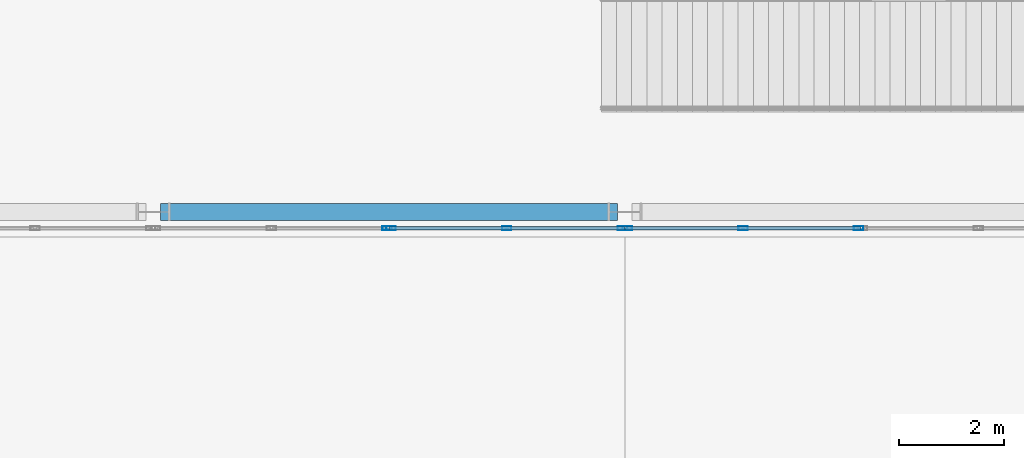
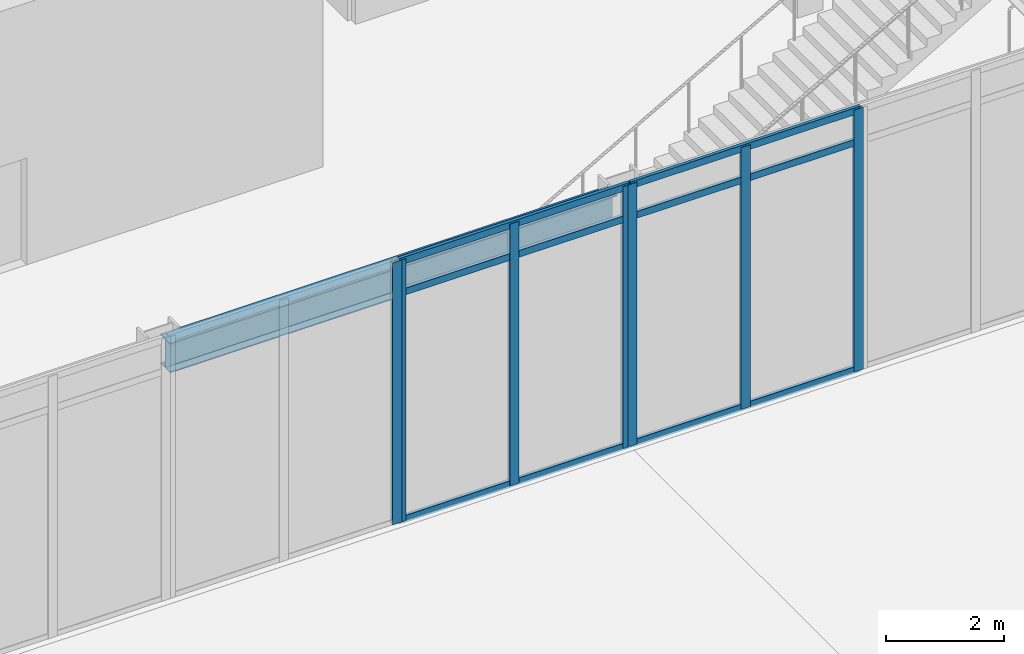
# One storey, part 49 of 94: 13 members, 1 beam, 3 elements without a shape of their own.
"""IFC4 building model written with IfcOpenShell, lengths in metres."""

from ifc_helpers import new_model, si_unit, direction, frame, origin, origin_2d, place, context, subcontext, project, spatial, hollow_rectangle, i_section, extrude, material, layer, layer_set, material_profile, profile_set, type_object, element, aggregate, save


model = new_model("IFC4")

# Units and contexts
model_context = context("Model", 3, precision=1e-05, world=origin(), true_north=direction((0.0, 1.0)))
body_context = subcontext(model_context, "Body", "Model", "MODEL_VIEW")
ifc_project = project(units=[si_unit("LENGTHUNIT", "METRE"), si_unit("AREAUNIT", "SQUARE_METRE"), si_unit("VOLUMEUNIT", "CUBIC_METRE"), si_unit("PLANEANGLEUNIT", "RADIAN"), si_unit("MASSUNIT", "GRAM", prefix="KILO")], contexts=[model_context])

# Site, building, storey
site_placement = place(None, origin())
site = spatial("IfcSite", under=ifc_project, at=site_placement, CompositionType="ELEMENT")
building_placement = place(site_placement, origin())
building = spatial("IfcBuilding", under=site, at=building_placement, Name="Sollismere Congress Hotel", CompositionType="ELEMENT")
storey_placement = place(building_placement, origin())
storey = spatial("IfcBuildingStorey", under=building, at=storey_placement, Name="L00", CompositionType="ELEMENT", Elevation=0.0)

# Beam
ifc_material_1 = material(Name="Steel ASTM A992 Grade 50", Category="steel")
ifc_material_profile_1 = material_profile(ifc_material_1, i_section(OverallWidth=0.324951171875, OverallDepth=0.612060546875, WebThickness=0.0126953125, FlangeThickness=0.01904296875, at=origin_2d()), Name="W24X104")
ifc_profile_set_1 = profile_set([ifc_material_profile_1], Name="Steel ASTM A992 Grade 50")
beam_type = type_object("IfcBeamType", Name="BM-G24", PredefinedType="BEAM", material=ifc_profile_set_1)
beam_placement = place(storey_placement, frame((76.139892578125, 66.800048828125, 4.80908203125), z_axis=(1.0, 0.0, 0.0), x_axis=(0.0, 1.0, 0.0)))
element("IfcBeam", 1, at=beam_placement, inside=storey, type_object=beam_type, Name="Beam BM-L00-1191", PredefinedType="BEAM", context=body_context, shape_type="SweptSolid", body=[
    extrude(i_section(OverallWidth=0.324951171875, OverallDepth=0.612060546875, WebThickness=0.0126953125, FlangeThickness=0.01904296875, at=origin_2d()), origin(), (0.0, 0.0, 1.0), 8.72021484375),
])

# Curtain wall, member
ifc_material_2 = material(Name="Anodized Bronze Curtain Wall & Low-E Triple Glazing", Category="glass")
ifc_layer = layer(ifc_material_2, 0.199951171875, Name="Anodized Bronze Curtain Wall & Low-E Triple Glazing")
ifc_layer_set = layer_set([ifc_layer], Name="Anodized Bronze Curtain Wall & Low-E Triple Glazing")
curtain_wall_type = type_object("IfcCurtainWallType", Name="CW-GLZ36", PredefinedType="USERDEFINED", material=ifc_layer_set)
curtain_wall_1_placement = place(storey_placement, origin())
curtain_wall_1 = element("IfcCurtainWall", 2, at=curtain_wall_1_placement, inside=storey, type_object=curtain_wall_type, Name="Unitised curtain wall CW-L00-075", ObjectType="UNITISED CURTAIN WALL", PredefinedType="USERDEFINED")
ifc_material_3 = material(Name="Anodized Aluminum 6063-T6", Category="aluminium")
ifc_material_profile_2 = material_profile(ifc_material_3, hollow_rectangle(XDim=0.074951171875, YDim=0.179931640625, WallThickness=0.0048828125, at=origin_2d()), Name="ALU180X75X5")
ifc_profile_set_2 = profile_set([ifc_material_profile_2], Name="Anodized Aluminum 6063-T6")
member_type_1 = type_object("IfcMemberType", Name="ML-CW180", PredefinedType="MULLION", material=ifc_profile_set_2)
member_1_placement = place(storey_placement, frame((80.4619140625, 66.489990234375, 0.0), z_axis=(0.0, 0.0, 1.0), x_axis=(0.0, 1.0, 0.0)))
member_1 = element("IfcMember", 3, at=member_1_placement, type_object=member_type_1, Name="CWL-CW-L00-075-ML03", PredefinedType="MULLION", context=body_context, shape_type="SweptSolid", body=[
    extrude(hollow_rectangle(XDim=0.074951171875, YDim=0.179931640625, WallThickness=0.0048828125, at=origin_2d()), origin(), (0.0, 0.0, 1.0), 5.39990234375),
])
aggregate(curtain_wall_1, [member_1])

# Curtain wall, members
curtain_wall_2_placement = place(storey_placement, origin())
curtain_wall_2 = element("IfcCurtainWall", 4, at=curtain_wall_2_placement, inside=storey, type_object=curtain_wall_type, Name="Unitised curtain wall CW-L00-076", ObjectType="UNITISED CURTAIN WALL", PredefinedType="USERDEFINED")
member_2_placement = place(storey_placement, frame((80.5380859375, 66.489990234375, 0.0), z_axis=(0.0, 0.0, 1.0), x_axis=(0.0, 1.0, 0.0)))
member_2 = element("IfcMember", 5, at=member_2_placement, type_object=member_type_1, Name="CWL-CW-L00-076-ML01", PredefinedType="MULLION", context=body_context, shape_type="SweptSolid", body=[
    extrude(hollow_rectangle(XDim=0.074951171875, YDim=0.179931640625, WallThickness=0.0048828125, at=origin_2d()), origin(), (0.0, 0.0, 1.0), 5.39990234375),
])
member_3_placement = place(storey_placement, frame((82.7451171875, 66.489990234375, 0.0), z_axis=(0.0, 0.0, 1.0), x_axis=(0.0, 1.0, 0.0)))
member_3 = element("IfcMember", 6, at=member_3_placement, type_object=member_type_1, Name="CWL-CW-L00-076-ML02", PredefinedType="MULLION", context=body_context, shape_type="SweptSolid", body=[
    extrude(hollow_rectangle(XDim=0.074951171875, YDim=0.179931640625, WallThickness=0.0048828125, at=origin_2d()), origin(), (0.0, 0.0, 1.0), 5.39990234375),
])
member_4_placement = place(storey_placement, frame((84.951904296875, 66.489990234375, 0.0), z_axis=(0.0, 0.0, 1.0), x_axis=(0.0, 1.0, 0.0)))
member_4 = element("IfcMember", 7, at=member_4_placement, type_object=member_type_1, Name="CWL-CW-L00-076-ML03", PredefinedType="MULLION", context=body_context, shape_type="SweptSolid", body=[
    extrude(hollow_rectangle(XDim=0.074951171875, YDim=0.179931640625, WallThickness=0.0048828125, at=origin_2d()), origin(), (0.0, 0.0, 1.0), 5.39990234375),
])

curtain_wall_3_placement = place(storey_placement, origin())
curtain_wall_3 = element("IfcCurtainWall", 8, at=curtain_wall_3_placement, inside=storey, type_object=curtain_wall_type, Name="Unitised curtain wall CW-L00-077", ObjectType="UNITISED CURTAIN WALL", PredefinedType="USERDEFINED")
member_5_placement = place(storey_placement, frame((85.048095703125, 66.489990234375, 0.0), z_axis=(0.0, 0.0, 1.0), x_axis=(0.0, 1.0, 0.0)))
member_5 = element("IfcMember", 9, at=member_5_placement, type_object=member_type_1, Name="CWL-CW-L00-077-ML01", PredefinedType="MULLION", context=body_context, shape_type="SweptSolid", body=[
    extrude(hollow_rectangle(XDim=0.074951171875, YDim=0.179931640625, WallThickness=0.0048828125, at=origin_2d()), origin(), (0.0, 0.0, 1.0), 5.39990234375),
])
member_6_placement = place(storey_placement, frame((87.2548828125, 66.489990234375, 0.0), z_axis=(0.0, 0.0, 1.0), x_axis=(0.0, 1.0, 0.0)))
member_6 = element("IfcMember", 10, at=member_6_placement, type_object=member_type_1, Name="CWL-CW-L00-077-ML02", PredefinedType="MULLION", context=body_context, shape_type="SweptSolid", body=[
    extrude(hollow_rectangle(XDim=0.074951171875, YDim=0.179931640625, WallThickness=0.0048828125, at=origin_2d()), origin(), (0.0, 0.0, 1.0), 5.39990234375),
])
member_7_placement = place(storey_placement, frame((89.4619140625, 66.489990234375, 0.0), z_axis=(0.0, 0.0, 1.0), x_axis=(0.0, 1.0, 0.0)))
member_7 = element("IfcMember", 11, at=member_7_placement, type_object=member_type_1, Name="CWL-CW-L00-077-ML03", PredefinedType="MULLION", context=body_context, shape_type="SweptSolid", body=[
    extrude(hollow_rectangle(XDim=0.074951171875, YDim=0.179931640625, WallThickness=0.0048828125, at=origin_2d()), origin(), (0.0, 0.0, 1.0), 5.39990234375),
])

# Member
ifc_material_profile_3 = material_profile(ifc_material_3, hollow_rectangle(XDim=0.06494140625, YDim=0.139892578125, WallThickness=0.00390625, at=origin_2d()), Name="ALU140X65X4")
ifc_profile_set_3 = profile_set([ifc_material_profile_3], Name="Anodized Aluminum 6063-T6")
member_type_2 = type_object("IfcMemberType", Name="TR-CW150", PredefinedType="MEMBER", material=ifc_profile_set_3)
member_8_placement = place(storey_placement, frame((80.5, 66.489990234375, 0.032470703125), z_axis=(1.0, 0.0, 0.0), x_axis=(0.0, 1.0, 0.0)))
member_8 = element("IfcMember", 12, at=member_8_placement, type_object=member_type_2, Name="CWL-CW-L00-076-TR1", PredefinedType="MEMBER", context=body_context, shape_type="SweptSolid", body=[
    extrude(hollow_rectangle(XDim=0.06494140625, YDim=0.139892578125, WallThickness=0.00390625, at=origin_2d()), origin(), (0.0, 0.0, 1.0), 4.489990234375),
])

member_9_placement = place(storey_placement, frame((80.5, 66.489990234375, 4.719970703125), z_axis=(1.0, 0.0, 0.0), x_axis=(0.0, 1.0, 0.0)))
member_9 = element("IfcMember", 13, at=member_9_placement, type_object=member_type_2, Name="CWL-CW-L00-076-TR2", PredefinedType="MEMBER", context=body_context, shape_type="SweptSolid", body=[
    extrude(hollow_rectangle(XDim=0.06494140625, YDim=0.139892578125, WallThickness=0.00390625, at=origin_2d()), origin(), (0.0, 0.0, 1.0), 4.489990234375),
])

member_10_placement = place(storey_placement, frame((80.5, 66.489990234375, 5.367431640625), z_axis=(1.0, 0.0, 0.0), x_axis=(0.0, 1.0, 0.0)))
member_10 = element("IfcMember", 14, at=member_10_placement, type_object=member_type_2, Name="CWL-CW-L00-076-TR3", PredefinedType="MEMBER", context=body_context, shape_type="SweptSolid", body=[
    extrude(hollow_rectangle(XDim=0.06494140625, YDim=0.139892578125, WallThickness=0.00390625, at=origin_2d()), origin(), (0.0, 0.0, 1.0), 4.489990234375),
])

aggregate(curtain_wall_2, [member_2, member_3, member_4, member_8, member_9, member_10])

member_11_placement = place(storey_placement, frame((85.010009765625, 66.489990234375, 0.032470703125), z_axis=(1.0, 0.0, 0.0), x_axis=(0.0, 1.0, 0.0)))
member_11 = element("IfcMember", 15, at=member_11_placement, type_object=member_type_2, Name="CWL-CW-L00-077-TR1", PredefinedType="MEMBER", context=body_context, shape_type="SweptSolid", body=[
    extrude(hollow_rectangle(XDim=0.06494140625, YDim=0.139892578125, WallThickness=0.00390625, at=origin_2d()), origin(), (0.0, 0.0, 1.0), 4.489990234375),
])

member_12_placement = place(storey_placement, frame((85.010009765625, 66.489990234375, 4.719970703125), z_axis=(1.0, 0.0, 0.0), x_axis=(0.0, 1.0, 0.0)))
member_12 = element("IfcMember", 16, at=member_12_placement, type_object=member_type_2, Name="CWL-CW-L00-077-TR2", PredefinedType="MEMBER", context=body_context, shape_type="SweptSolid", body=[
    extrude(hollow_rectangle(XDim=0.06494140625, YDim=0.139892578125, WallThickness=0.00390625, at=origin_2d()), origin(), (0.0, 0.0, 1.0), 4.489990234375),
])

member_13_placement = place(storey_placement, frame((85.010009765625, 66.489990234375, 5.367431640625), z_axis=(1.0, 0.0, 0.0), x_axis=(0.0, 1.0, 0.0)))
member_13 = element("IfcMember", 17, at=member_13_placement, type_object=member_type_2, Name="CWL-CW-L00-077-TR3", PredefinedType="MEMBER", context=body_context, shape_type="SweptSolid", body=[
    extrude(hollow_rectangle(XDim=0.06494140625, YDim=0.139892578125, WallThickness=0.00390625, at=origin_2d()), origin(), (0.0, 0.0, 1.0), 4.489990234375),
])

aggregate(curtain_wall_3, [member_5, member_6, member_7, member_11, member_12, member_13])

save(model, "model.ifc")
